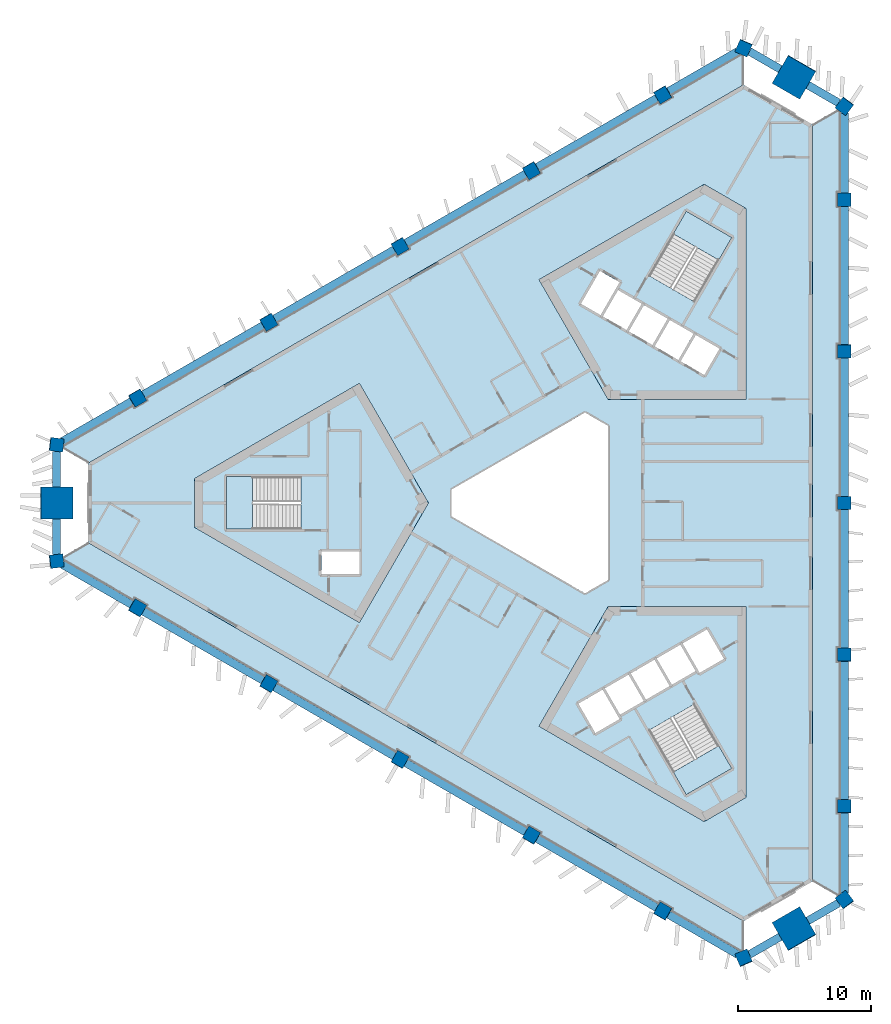
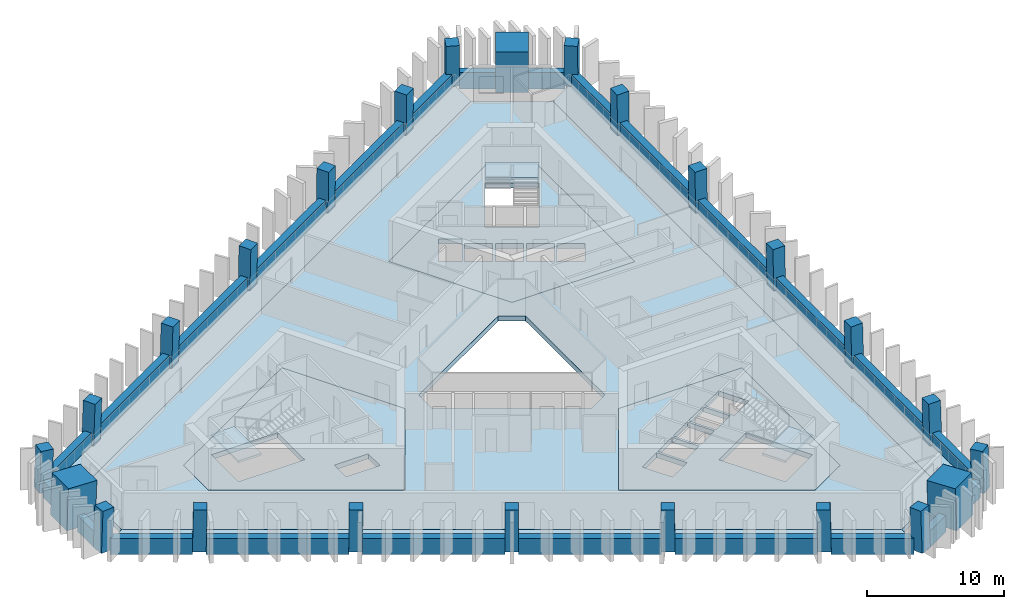
# One storey, part 1 of 10: 24 beams, 24 columns, 10 slabs, 3 elements without a shape of their own.
"""IFC4 building model written with IfcOpenShell, lengths in metres."""

from ifc_helpers import new_model, si_unit, direction, frame, origin, origin_2d, place, context, subcontext, project, spatial, polyline, rectangle, outline, extrude, material, layer, layer_set, material_profile, profile_set, type_object, element, aggregate, save


model = new_model("IFC4")

# Units and contexts
model_context = context("Model", 3, precision=1e-05, world=origin(), true_north=direction((0.0, 1.0)))
body_context = subcontext(model_context, "Body", "Model", "MODEL_VIEW")
ifc_project = project(units=[si_unit("LENGTHUNIT", "METRE"), si_unit("AREAUNIT", "SQUARE_METRE"), si_unit("VOLUMEUNIT", "CUBIC_METRE"), si_unit("PLANEANGLEUNIT", "RADIAN"), si_unit("MASSUNIT", "GRAM", prefix="KILO")], contexts=[model_context])

# Site, building, storey
site_placement = place(None, origin())
site = spatial("IfcSite", under=ifc_project, at=site_placement, CompositionType="ELEMENT")
building_placement = place(site_placement, origin())
building = spatial("IfcBuilding", under=site, at=building_placement, Name="Jabali Bay Hotel Tower and Convention Centre", CompositionType="ELEMENT")
storey_placement = place(building_placement, frame((0.0, 0.0, 117.89990234375)))
storey = spatial("IfcBuildingStorey", under=building, at=storey_placement, Name="L28", CompositionType="ELEMENT", Elevation=117.89990234375)

# Columns
ifc_material_1 = material(Name="Concrete C60", Category="concrete")
ifc_material_profile_1 = material_profile(ifc_material_1, rectangle(XDim=1.0, YDim=1.0, at=origin_2d()), Name="Frame column 1000")
ifc_profile_set_1 = profile_set([ifc_material_profile_1], Name="Concrete C60")
column_type_1 = type_object("IfcColumnType", Name="Frame column 1000", PredefinedType="COLUMN", material=ifc_profile_set_1)
column_1_placement = place(storey_placement, frame((83.6123046875, 110.693603515625, 0.0), z_axis=(-0.008375917711, -0.028095597993, 0.999570148302), x_axis=(0.86617295673, 0.49929055592, 0.021292012558)))
element("IfcColumn", 1, at=column_1_placement, inside=storey, type_object=column_type_1, Name="FC3 F1.1 L28", PredefinedType="COLUMN", context=body_context, shape_type="SweptSolid", body=[
    extrude(rectangle(XDim=1.0, YDim=1.0, at=origin_2d()), origin(), (0.0, 0.0, 1.0), 3.701904296875),
])
column_2_placement = place(storey_placement, frame((73.7373046875, 104.992431640625, 0.0), z_axis=(0.000857522362, -0.02282328747, 0.99973914708), x_axis=(0.866054303162, 0.499836110356, 0.010668025089)))
element("IfcColumn", 2, at=column_2_placement, inside=storey, type_object=column_type_1, Name="FC3 F1.2 L28", PredefinedType="COLUMN", context=body_context, shape_type="SweptSolid", body=[
    extrude(rectangle(XDim=1.0, YDim=1.0, at=origin_2d()), origin(), (0.0, 0.0, 1.0), 3.701171875),
])
column_3_placement = place(storey_placement, frame((63.8623046875, 99.291015625, 0.0), z_axis=(0.010092954999, -0.017481261926, 0.999796248113), x_axis=(-0.499897099477, 0.865849541015, 0.020185694417)))
element("IfcColumn", 3, at=column_3_placement, inside=storey, type_object=column_type_1, Name="FC3 F1.3 L28", PredefinedType="COLUMN", context=body_context, shape_type="SweptSolid", body=[
    extrude(rectangle(XDim=1.0, YDim=1.0, at=origin_2d()), origin(), (0.0, 0.0, 1.0), 3.700927734375),
])
column_4_placement = place(storey_placement, frame((53.9873046875, 93.58984375, 0.0), z_axis=(0.019327226818, -0.01220319782, 0.999738736004), x_axis=(-0.498096614993, 0.866885968369, 0.020210887592)))
element("IfcColumn", 4, at=column_4_placement, inside=storey, type_object=column_type_1, Name="FC3 F1.4 L28", PredefinedType="COLUMN", context=body_context, shape_type="SweptSolid", body=[
    extrude(rectangle(XDim=1.0, YDim=1.0, at=origin_2d()), origin(), (0.0, 0.0, 1.0), 3.701171875),
])
for number, where, z_axis, x_axis, name in (
    (5, (44.1123046875, 87.888427734375, 0.0), (0.028557232129, -0.006793059837, 0.999569076568), (-0.500405823841, 0.865555794054, 0.020178673034), "FC3 F1.5 L28"),
    (6, (44.1123046875, 72.111572265625, 0.0), (0.028557232129, 0.006793059837, 0.999569076568), (-0.865319880714, 0.500766434296, 0.021318591028), "FC3 F2.1 L28"),
):
    element("IfcColumn", number, at=place(storey_placement, frame(where, z_axis=z_axis, x_axis=x_axis)), inside=storey, type_object=column_type_1, Name=name, PredefinedType="COLUMN", context=body_context, shape_type="SweptSolid", body=[
        extrude(rectangle(XDim=1.0, YDim=1.0, at=origin_2d()), origin(), (0.0, 0.0, 1.0), 3.701904296875),
    ])
column_5_placement = place(storey_placement, frame((53.9873046875, 66.41015625, 0.0), z_axis=(0.019327226818, 0.01220319782, 0.999738736004), x_axis=(-0.866906119736, 0.49835710069, 0.010676130209)))
element("IfcColumn", 7, at=column_5_placement, inside=storey, type_object=column_type_1, Name="FC3 F2.2 L28", PredefinedType="COLUMN", context=body_context, shape_type="SweptSolid", body=[
    extrude(rectangle(XDim=1.0, YDim=1.0, at=origin_2d()), origin(), (0.0, 0.0, 1.0), 3.701171875),
])
column_6_placement = place(storey_placement, frame((63.8623046875, 60.708984375, 0.0), z_axis=(0.010092954999, 0.017481261926, 0.999796248113), x_axis=(-0.866025993948, 0.499998977805, 1.48321e-07)))
element("IfcColumn", 8, at=column_6_placement, inside=storey, type_object=column_type_1, Name="FC3 F2.3 L28", PredefinedType="COLUMN", context=body_context, shape_type="SweptSolid", body=[
    extrude(rectangle(XDim=1.0, YDim=1.0, at=origin_2d()), origin(), (0.0, 0.0, 1.0), 3.700927734375),
])
column_7_placement = place(storey_placement, frame((73.7373046875, 55.007568359375, 0.0), z_axis=(0.000857522362, 0.02282328747, 0.99973914708), x_axis=(-0.499949206051, -0.865819242298, 0.020194826967)))
element("IfcColumn", 9, at=column_7_placement, inside=storey, type_object=column_type_1, Name="FC3 F2.4 L28", PredefinedType="COLUMN", context=body_context, shape_type="SweptSolid", body=[
    extrude(rectangle(XDim=1.0, YDim=1.0, at=origin_2d()), origin(), (0.0, 0.0, 1.0), 3.701171875),
])
for number, where, z_axis, x_axis, name in (
    (10, (83.6123046875, 49.306396484375, 0.0), (-0.008375917711, 0.028095597993, 0.999570148302), (-0.499674146852, -0.865978970958, 0.020153630574), "FC3 F2.5 L28"),
    (11, (97.275390625, 57.19482421875, 0.0), (-0.020181329236, 0.021302514194, 0.999569365697), (0.000221961316, -0.999772863125, 0.021311332472), "FC3 F0.1 L28"),
):
    element("IfcColumn", number, at=place(storey_placement, frame(where, z_axis=z_axis, x_axis=x_axis)), inside=storey, type_object=column_type_1, Name=name, PredefinedType="COLUMN", context=body_context, shape_type="SweptSolid", body=[
        extrude(rectangle(XDim=1.0, YDim=1.0, at=origin_2d()), origin(), (0.0, 0.0, 1.0), 3.701904296875),
    ])
column_8_placement = place(storey_placement, frame((97.275390625, 68.597412109375, 0.0), z_axis=(-0.02018477153, 0.01062009221, 0.999739860484), x_axis=(0.00153278272, -0.999942078412, 0.010653187262)))
element("IfcColumn", 12, at=column_8_placement, inside=storey, type_object=column_type_1, Name="FC3 F0.2 L28", PredefinedType="COLUMN", context=body_context, shape_type="SweptSolid", body=[
    extrude(rectangle(XDim=1.0, YDim=1.0, at=origin_2d()), origin(), (0.0, 0.0, 1.0), 3.701171875),
])
column_9_placement = place(storey_placement, frame((97.275390625, 80.0, 0.0), z_axis=(-0.02018590991, 0.0, 0.999796243762), x_axis=(0.0, -1.0, 0.0)))
element("IfcColumn", 13, at=column_9_placement, inside=storey, type_object=column_type_1, Name="FC3 F0.3 L28", PredefinedType="COLUMN", context=body_context, shape_type="SweptSolid", body=[
    extrude(rectangle(XDim=1.0, YDim=1.0, at=origin_2d()), origin(), (0.0, 0.0, 1.0), 3.700927734375),
])
column_10_placement = place(storey_placement, frame((97.275390625, 91.402587890625, 0.0), z_axis=(-0.02018477153, -0.01062009221, 0.999739860484), x_axis=(0.999795091794, -0.001747416133, 0.020167324102)))
element("IfcColumn", 14, at=column_10_placement, inside=storey, type_object=column_type_1, Name="FC3 F0.4 L28", PredefinedType="COLUMN", context=body_context, shape_type="SweptSolid", body=[
    extrude(rectangle(XDim=1.0, YDim=1.0, at=origin_2d()), origin(), (0.0, 0.0, 1.0), 3.701171875),
])
column_11_placement = place(storey_placement, frame((97.275390625, 102.80517578125, 0.0), z_axis=(-0.020181329236, -0.021302514194, 0.999569365697), x_axis=(0.999796311597, -0.000651956749, 0.020172016978)))
element("IfcColumn", 15, at=column_11_placement, inside=storey, type_object=column_type_1, Name="FC3 F0.5 L28", PredefinedType="COLUMN", context=body_context, shape_type="SweptSolid", body=[
    extrude(rectangle(XDim=1.0, YDim=1.0, at=origin_2d()), origin(), (0.0, 0.0, 1.0), 3.701904296875),
])
for number, where, z_axis, x_axis, name in (
    (16, (97.275390625, 50.166259765625, 0.0), (-0.020177412175, 0.029013272408, 0.999375355941), (-0.801392442737, -0.598137734418, 0.001184647378), "FC3 V0 L28"),
    (17, (97.275390625, 109.833740234375, 0.0), (-0.020177412175, -0.029013272408, 0.999375355941), (0.597798481733, 0.80086795459, 0.035319888851), "FC3 V1 L28"),
    (18, (89.698974609375, 114.2080078125, 0.0), (-0.01503415113, -0.031980540781, 0.999375414602), (0.918734353732, -0.394874389446, 0.001184834638), "FC3 V2 L28"),
    (19, (38.025634765625, 84.374267578125, 0.0), (0.035211566633, -0.002967266851, 0.999375475436), (-0.992471932159, 0.117269806024, 0.035316518411), "FC3 V3 L28"),
    (20, (38.025634765625, 75.625732421875, 0.0), (0.035211566633, 0.002967266851, 0.999375475436), (-0.117301361684, 0.993095658999, 0.001184324524), "FC3 V4 L28"),
    (21, (89.698974609375, 45.7919921875, 0.0), (-0.01503415113, 0.031980540781, 0.999375414602), (0.394589865015, -0.918178338653, 0.035318222715), "FC3 V5 L28"),
):
    element("IfcColumn", number, at=place(storey_placement, frame(where, z_axis=z_axis, x_axis=x_axis)), inside=storey, type_object=column_type_1, Name=name, PredefinedType="COLUMN", context=body_context, shape_type="SweptSolid", body=[
        extrude(rectangle(XDim=1.0, YDim=1.0, at=origin_2d()), origin(), (0.0, 0.0, 1.0), 3.702392578125),
    ])
ifc_material_2 = material(Name="Concrete C70", Category="concrete")
ifc_material_profile_2 = material_profile(ifc_material_2, rectangle(XDim=2.39990234375, YDim=2.39990234375, at=origin_2d()), Name="Mega column 2400")
ifc_profile_set_2 = profile_set([ifc_material_profile_2], Name="Concrete C70")
column_type_2 = type_object("IfcColumnType", Name="Mega column 2400", PredefinedType="COLUMN", material=ifc_profile_set_2)
for number, where, z_axis, x_axis, name in (
    (22, (93.4873046875, 112.020751953125, 0.0), (-0.017605877014, -0.030464101799, 0.99938079409), (0.865816229231, -0.500362126065, 3.71534e-07), "MC3 M1 L28"),
    (23, (38.025634765625, 80.0, 0.0), (0.035211721647, 0.0, 0.999379875052), (0.0, 1.0, 0.0), "MC3 M0 L28"),
    (24, (93.4873046875, 47.979248046875, 0.0), (-0.017605877014, 0.030464101799, 0.99938079409), (0.500055612053, -0.865278195987, 0.035185627802), "MC3 M2 L28"),
):
    element("IfcColumn", number, at=place(storey_placement, frame(where, z_axis=z_axis, x_axis=x_axis)), inside=storey, type_object=column_type_2, Name=name, PredefinedType="COLUMN", context=body_context, shape_type="SweptSolid", body=[
        extrude(rectangle(XDim=2.39990234375, YDim=2.39990234375, at=origin_2d()), origin(), (0.0, 0.0, 1.0), 3.702392578125),
    ])

# Beams
ifc_material_profile_3 = material_profile(ifc_material_1, rectangle(XDim=0.60009765625, YDim=1.449951171875, at=origin_2d()), Name="Spandrel 600x1450")
ifc_profile_set_3 = profile_set([ifc_material_profile_3], Name="Concrete C60")
beam_type = type_object("IfcBeamType", Name="Spandrel 600x1450", PredefinedType="SPANDREL", material=ifc_profile_set_3)
beam_1_placement = place(storey_placement, frame((92.44140625, 112.609375, 0.375), z_axis=(-0.866042617247, 0.499970184224, 0.0), x_axis=(-0.499970184224, -0.866042617247, 0.0)))
element("IfcBeam", 25, at=beam_1_placement, inside=storey, type_object=beam_type, Name="Spandrel M1-V2 L28", PredefinedType="SPANDREL", context=body_context, shape_type="SweptSolid", body=[
    extrude(rectangle(XDim=0.60009765625, YDim=1.449951171875, at=origin_2d()), origin(), (0.0, 0.0, 1.0), 2.673095703125),
])
beam_2_placement = place(storey_placement, frame((89.26025390625, 113.94580078125, 0.375), z_axis=(-0.866030397928, -0.499991349791, 0.0), x_axis=(0.499991349791, -0.866030397928, 0.0)))
element("IfcBeam", 26, at=beam_2_placement, inside=storey, type_object=beam_type, Name="Spandrel V2-F1.1 L28", PredefinedType="SPANDREL", context=body_context, shape_type="SweptSolid", body=[
    extrude(rectangle(XDim=0.60009765625, YDim=1.449951171875, at=origin_2d()), origin(), (0.0, 0.0, 1.0), 6.025390625),
])
beam_3_placement = place(storey_placement, frame((83.176025390625, 110.43310546875, 0.375), z_axis=(-0.866026847719, -0.499997499024, 0.0), x_axis=(0.499997499024, -0.866026847719, 0.0)))
element("IfcBeam", 27, at=beam_3_placement, inside=storey, type_object=beam_type, Name="Spandrel F1.1-F1.2 L28", PredefinedType="SPANDREL", context=body_context, shape_type="SweptSolid", body=[
    extrude(rectangle(XDim=0.60009765625, YDim=1.449951171875, at=origin_2d()), origin(), (0.0, 0.0, 1.0), 10.3984375),
])
beam_4_placement = place(storey_placement, frame((73.3046875, 104.73388671875, 0.375), z_axis=(-0.866022550941, -0.500004941237, 0.0), x_axis=(0.500004941237, -0.866022550941, 0.0)))
element("IfcBeam", 28, at=beam_4_placement, inside=storey, type_object=beam_type, Name="Spandrel F1.2-F1.3 L28", PredefinedType="SPANDREL", context=body_context, shape_type="SweptSolid", body=[
    extrude(rectangle(XDim=0.60009765625, YDim=1.449951171875, at=origin_2d()), origin(), (0.0, 0.0, 1.0), 10.39892578125),
])
beam_5_placement = place(storey_placement, frame((63.43310546875, 99.034423828125, 0.375), z_axis=(-0.866032717098, -0.499987332755, 0.0), x_axis=(0.499987332755, -0.866032717098, 0.0)))
element("IfcBeam", 29, at=beam_5_placement, inside=storey, type_object=beam_type, Name="Spandrel F1.3-F1.4 L28", PredefinedType="SPANDREL", context=body_context, shape_type="SweptSolid", body=[
    extrude(rectangle(XDim=0.60009765625, YDim=1.449951171875, at=origin_2d()), origin(), (0.0, 0.0, 1.0), 10.398681640625),
])
beam_6_placement = place(storey_placement, frame((53.5615234375, 93.335205078125, 0.375), z_axis=(-0.866026847719, -0.499997499024, 0.0), x_axis=(0.499997499024, -0.866026847719, 0.0)))
element("IfcBeam", 30, at=beam_6_placement, inside=storey, type_object=beam_type, Name="Spandrel F1.4-F1.5 L28", PredefinedType="SPANDREL", context=body_context, shape_type="SweptSolid", body=[
    extrude(rectangle(XDim=0.60009765625, YDim=1.449951171875, at=origin_2d()), origin(), (0.0, 0.0, 1.0), 10.3984375),
])
beam_7_placement = place(storey_placement, frame((43.690185546875, 87.635986328125, 0.375), z_axis=(-0.866012853171, -0.500021737671, 0.0), x_axis=(0.500021737671, -0.866012853171, 0.0)))
element("IfcBeam", 31, at=beam_7_placement, inside=storey, type_object=beam_type, Name="Spandrel F1.5-V3 L28", PredefinedType="SPANDREL", context=body_context, shape_type="SweptSolid", body=[
    extrude(rectangle(XDim=0.60009765625, YDim=1.449951171875, at=origin_2d()), origin(), (0.0, 0.0, 1.0), 6.025634765625),
])
for number, where, z_axis, x_axis, name in (
    (32, (38.038818359375, 83.873046875, 0.375), (0.0, -1.0, 0.0), (1.0, 0.0, 0.0), "Spandrel V3-M0 L28"),
    (33, (38.038818359375, 78.800048828125, 0.375), (0.0, -1.0, 0.0), (1.0, 0.0, 0.0), "Spandrel M0-V4 L28"),
):
    element("IfcBeam", number, at=place(storey_placement, frame(where, z_axis=z_axis, x_axis=x_axis)), inside=storey, type_object=beam_type, Name=name, PredefinedType="SPANDREL", context=body_context, shape_type="SweptSolid", body=[
        extrude(rectangle(XDim=0.60009765625, YDim=1.449951171875, at=origin_2d()), origin(), (0.0, 0.0, 1.0), 2.673095703125),
    ])
beam_8_placement = place(storey_placement, frame((38.471923828125, 75.376953125, 0.375), z_axis=(0.866012853171, -0.500021737671, 0.0), x_axis=(0.500021737671, 0.866012853171, 0.0)))
element("IfcBeam", 34, at=beam_8_placement, inside=storey, type_object=beam_type, Name="Spandrel V4-F2.1 L28", PredefinedType="SPANDREL", context=body_context, shape_type="SweptSolid", body=[
    extrude(rectangle(XDim=0.60009765625, YDim=1.449951171875, at=origin_2d()), origin(), (0.0, 0.0, 1.0), 6.025634765625),
])
beam_9_placement = place(storey_placement, frame((44.55615234375, 71.864013671875, 0.375), z_axis=(0.866026847719, -0.499997499024, 0.0), x_axis=(0.499997499024, 0.866026847719, 0.0)))
element("IfcBeam", 35, at=beam_9_placement, inside=storey, type_object=beam_type, Name="Spandrel F2.1-F2.2 L28", PredefinedType="SPANDREL", context=body_context, shape_type="SweptSolid", body=[
    extrude(rectangle(XDim=0.60009765625, YDim=1.449951171875, at=origin_2d()), origin(), (0.0, 0.0, 1.0), 10.3984375),
])
beam_10_placement = place(storey_placement, frame((54.427490234375, 66.164794921875, 0.375), z_axis=(0.866032717098, -0.499987332755, 0.0), x_axis=(0.499987332755, 0.866032717098, 0.0)))
element("IfcBeam", 36, at=beam_10_placement, inside=storey, type_object=beam_type, Name="Spandrel F2.2-F2.3 L28", PredefinedType="SPANDREL", context=body_context, shape_type="SweptSolid", body=[
    extrude(rectangle(XDim=0.60009765625, YDim=1.449951171875, at=origin_2d()), origin(), (0.0, 0.0, 1.0), 10.398681640625),
])
beam_11_placement = place(storey_placement, frame((64.299072265625, 60.465576171875, 0.375), z_axis=(0.866022550941, -0.500004941237, 0.0), x_axis=(0.500004941237, 0.866022550941, 0.0)))
element("IfcBeam", 37, at=beam_11_placement, inside=storey, type_object=beam_type, Name="Spandrel F2.3-F2.4 L28", PredefinedType="SPANDREL", context=body_context, shape_type="SweptSolid", body=[
    extrude(rectangle(XDim=0.60009765625, YDim=1.449951171875, at=origin_2d()), origin(), (0.0, 0.0, 1.0), 10.39892578125),
])
beam_12_placement = place(storey_placement, frame((74.170654296875, 54.76611328125, 0.375), z_axis=(0.866026847719, -0.499997499024, 0.0), x_axis=(0.499997499024, 0.866026847719, 0.0)))
element("IfcBeam", 38, at=beam_12_placement, inside=storey, type_object=beam_type, Name="Spandrel F2.4-F2.5 L28", PredefinedType="SPANDREL", context=body_context, shape_type="SweptSolid", body=[
    extrude(rectangle(XDim=0.60009765625, YDim=1.449951171875, at=origin_2d()), origin(), (0.0, 0.0, 1.0), 10.3984375),
])
beam_13_placement = place(storey_placement, frame((84.0419921875, 49.06689453125, 0.375), z_axis=(0.866030397928, -0.499991349791, 0.0), x_axis=(0.499991349791, 0.866030397928, 0.0)))
element("IfcBeam", 39, at=beam_13_placement, inside=storey, type_object=beam_type, Name="Spandrel F2.5-V5 L28", PredefinedType="SPANDREL", context=body_context, shape_type="SweptSolid", body=[
    extrude(rectangle(XDim=0.60009765625, YDim=1.449951171875, at=origin_2d()), origin(), (0.0, 0.0, 1.0), 6.025390625),
])
for number, where, z_axis, x_axis, name in (
    (40, (90.12646484375, 46.05419921875, 0.375), (0.866042617247, 0.499970184224, 0.0), (-0.499970184224, 0.866042617247, 0.0), "Spandrel V5-M2 L28"),
    (41, (94.519775390625, 48.590576171875, 0.375), (0.866003068511, 0.500038683832, 0.0), (-0.500038683832, 0.866003068511, 0.0), "Spandrel M2-V0 L28"),
):
    element("IfcBeam", number, at=place(storey_placement, frame(where, z_axis=z_axis, x_axis=x_axis)), inside=storey, type_object=beam_type, Name=name, PredefinedType="SPANDREL", context=body_context, shape_type="SweptSolid", body=[
        extrude(rectangle(XDim=0.60009765625, YDim=1.449951171875, at=origin_2d()), origin(), (0.0, 0.0, 1.0), 2.673095703125),
    ])
beam_14_placement = place(storey_placement, frame((97.267822265625, 50.67724609375, 0.375), z_axis=(0.0, 1.0, 0.0), x_axis=(-1.0, 0.0, 0.0)))
element("IfcBeam", 42, at=beam_14_placement, inside=storey, type_object=beam_type, Name="Spandrel V0-F0.1 L28", PredefinedType="SPANDREL", context=body_context, shape_type="SweptSolid", body=[
    extrude(rectangle(XDim=0.60009765625, YDim=1.449951171875, at=origin_2d()), origin(), (0.0, 0.0, 1.0), 6.025390625),
])
for number, where, z_axis, x_axis, name in (
    (43, (97.267822265625, 57.70263671875, 0.375), (0.0, 1.0, 0.0), (-1.0, 0.0, 0.0), "Spandrel F0.1-F0.2 L28"),
    (44, (97.267822265625, 69.101318359375, 0.375), (0.0, 1.0, 0.0), (-1.0, 0.0, 0.0), "Spandrel F0.2-F0.3 L28"),
    (45, (97.267822265625, 80.5, 0.375), (0.0, 1.0, 0.0), (-1.0, 0.0, 0.0), "Spandrel F0.3-F0.4 L28"),
    (46, (97.267822265625, 91.898681640625, 0.375), (0.0, 1.0, 0.0), (-1.0, 0.0, 0.0), "Spandrel F0.4-F0.5 L28"),
):
    element("IfcBeam", number, at=place(storey_placement, frame(where, z_axis=z_axis, x_axis=x_axis)), inside=storey, type_object=beam_type, Name=name, PredefinedType="SPANDREL", context=body_context, shape_type="SweptSolid", body=[
        extrude(rectangle(XDim=0.60009765625, YDim=1.449951171875, at=origin_2d()), origin(), (0.0, 0.0, 1.0), 10.398681640625),
    ])
beam_15_placement = place(storey_placement, frame((97.267822265625, 103.29736328125, 0.375), z_axis=(0.0, 1.0, 0.0), x_axis=(-1.0, 0.0, 0.0)))
element("IfcBeam", 47, at=beam_15_placement, inside=storey, type_object=beam_type, Name="Spandrel F0.5-V1 L28", PredefinedType="SPANDREL", context=body_context, shape_type="SweptSolid", body=[
    extrude(rectangle(XDim=0.60009765625, YDim=1.449951171875, at=origin_2d()), origin(), (0.0, 0.0, 1.0), 6.025390625),
])
beam_16_placement = place(storey_placement, frame((96.834716796875, 110.07275390625, 0.375), z_axis=(-0.866003068511, 0.500038683832, 0.0), x_axis=(-0.500038683832, -0.866003068511, 0.0)))
element("IfcBeam", 48, at=beam_16_placement, inside=storey, type_object=beam_type, Name="Spandrel V1-M1 L28", PredefinedType="SPANDREL", context=body_context, shape_type="SweptSolid", body=[
    extrude(rectangle(XDim=0.60009765625, YDim=1.449951171875, at=origin_2d()), origin(), (0.0, 0.0, 1.0), 2.673095703125),
])

# Slabs
ifc_material_3 = material(Name="Concrete C40", Category="concrete")
ifc_layer_1 = layer(ifc_material_3, 0.449951171875)
ifc_layer_set_1 = layer_set([ifc_layer_1], Name="Concrete C40")
slab_type_1 = type_object("IfcSlabType", Name="Core floor slab 450", PredefinedType="FLOOR", material=ifc_layer_set_1)
slab_1_placement = place(storey_placement, frame((0.0, 0.0, -0.449951171875)))
element("IfcSlab", 49, at=slab_1_placement, inside=storey, type_object=slab_type_1, Name="Core floor slab 1 L28", PredefinedType="FLOOR", context=body_context, shape_type="SweptSolid", body=[
    extrude(outline(polyline([(66.0, 80.0), (60.81005859375, 88.9892578125), (48.39697265625, 81.82275390625), (48.39697265625, 78.17724609375), (60.81005859375, 71.0107421875), (66.0, 80.0)]), holes=[polyline([(60.800048828125, 76.35009765625), (57.949951171875, 76.35009765625), (57.949951171875, 74.64990234375), (60.800048828125, 74.64990234375), (60.800048828125, 76.35009765625)]), polyline([(50.820068359375, 81.97509765625), (50.820068359375, 78.02490234375), (56.409912109375, 78.02490234375), (56.409912109375, 81.97509765625), (50.820068359375, 81.97509765625)])]), origin(), (0.0, 0.0, 1.0), 0.449951171875),
])
slab_2_placement = place(storey_placement, frame((0.0, 0.0, -0.449951171875)))
element("IfcSlab", 50, at=slab_2_placement, inside=storey, type_object=slab_type_1, Name="Core floor slab 2 L28", PredefinedType="FLOOR", context=body_context, shape_type="SweptSolid", body=[
    extrude(outline(polyline([(79.5, 87.794189453125), (89.8798828125, 87.794189453125), (89.8798828125, 102.127685546875), (86.72314453125, 103.9501953125), (74.31005859375, 96.78369140625), (79.5, 87.794189453125)]), holes=[polyline([(84.957763671875, 90.6474609375), (86.733154296875, 89.62255859375), (87.873291015625, 91.59716796875), (86.097900390625, 92.6220703125), (84.957763671875, 90.6474609375)]), polyline([(84.1494140625, 93.7470703125), (83.00927734375, 91.7724609375), (84.78466796875, 90.74755859375), (85.924560546875, 92.72216796875), (84.1494140625, 93.7470703125)]), polyline([(82.20068359375, 94.8720703125), (81.060791015625, 92.8974609375), (82.836181640625, 91.87255859375), (83.97607421875, 93.84716796875), (82.20068359375, 94.8720703125)]), polyline([(79.1123046875, 94.0224609375), (80.887451171875, 92.99755859375), (82.027587890625, 94.97216796875), (80.252197265625, 95.9970703125), (79.1123046875, 94.0224609375)]), polyline([(78.891845703125, 97.440673828125), (77.466796875, 94.97265625), (78.93896484375, 94.12255859375), (80.364013671875, 96.5908203125), (78.891845703125, 97.440673828125)]), polyline([(82.584716796875, 97.0869140625), (86.00537109375, 95.11181640625), (88.80029296875, 99.952880859375), (85.379638671875, 101.927978515625), (82.584716796875, 97.0869140625)])]), origin(), (0.0, 0.0, 1.0), 0.449951171875),
])
slab_3_placement = place(storey_placement, frame((0.0, 0.0, -0.449951171875)))
element("IfcSlab", 51, at=slab_3_placement, inside=storey, type_object=slab_type_1, Name="Core floor slab 3 L28", PredefinedType="FLOOR", context=body_context, shape_type="SweptSolid", body=[
    extrude(outline(polyline([(79.5, 72.205810546875), (74.31005859375, 63.21630859375), (86.72314453125, 56.0498046875), (89.8798828125, 57.872314453125), (89.8798828125, 72.205810546875), (79.5, 72.205810546875)]), holes=[polyline([(82.584716796875, 62.9130859375), (85.379638671875, 58.072021484375), (88.80029296875, 60.047119140625), (86.00537109375, 64.88818359375), (82.584716796875, 62.9130859375)]), polyline([(80.365478515625, 63.756591796875), (79.090576171875, 65.96484375), (77.27197265625, 64.9150390625), (78.546875, 62.70654296875), (80.365478515625, 63.756591796875)]), polyline([(82.17919921875, 65.115478515625), (81.0390625, 67.08984375), (79.263671875, 66.06494140625), (80.40380859375, 64.09033203125), (82.17919921875, 65.115478515625)]), polyline([(82.98779296875, 68.21484375), (81.21240234375, 67.18994140625), (82.352294921875, 65.21533203125), (84.127685546875, 66.240478515625), (82.98779296875, 68.21484375)]), polyline([(86.076171875, 67.365478515625), (84.936279296875, 69.33984375), (83.160888671875, 68.31494140625), (84.30078125, 66.34033203125), (86.076171875, 67.365478515625)]), polyline([(88.203125, 68.281494140625), (86.927978515625, 70.489990234375), (85.109375, 69.43994140625), (86.384521484375, 67.231689453125), (88.203125, 68.281494140625)])]), origin(), (0.0, 0.0, 1.0), 0.449951171875),
])
ifc_layer_2 = layer(ifc_material_3, 0.199951171875)
ifc_layer_set_2 = layer_set([ifc_layer_2], Name="Concrete C40")
slab_type_2 = type_object("IfcSlabType", Name="Loggia slab 200", PredefinedType="FLOOR", material=ifc_layer_set_2)
slab_4_placement = place(storey_placement, frame((0.0, 0.0, -0.199951171875)))
element("IfcSlab", 52, at=slab_4_placement, inside=storey, type_object=slab_type_2, Name="Loggia slab east face L28", PredefinedType="FLOOR", context=body_context, shape_type="SweptSolid", body=[
    extrude(outline(polyline([(94.87548828125, 108.447998046875), (96.80419921875, 109.5615234375), (96.975341796875, 109.43359375), (96.975341796875, 103.30517578125), (96.775390625, 103.30517578125), (96.775390625, 102.30517578125), (96.975341796875, 102.30517578125), (96.975341796875, 91.902587890625), (96.775390625, 91.902587890625), (96.775390625, 90.902587890625), (96.975341796875, 90.902587890625), (96.975341796875, 80.5), (96.775390625, 80.5), (96.775390625, 79.5), (96.975341796875, 79.5), (96.975341796875, 69.097412109375), (96.775390625, 69.097412109375), (96.775390625, 68.097412109375), (96.975341796875, 68.097412109375), (96.975341796875, 57.69482421875), (96.775390625, 57.69482421875), (96.775390625, 56.69482421875), (96.975341796875, 56.69482421875), (96.975341796875, 50.56640625), (96.80419921875, 50.4384765625), (94.87548828125, 51.552001953125), (94.87548828125, 108.447998046875)])), origin(), (0.0, 0.0, 1.0), 0.199951171875),
])
slab_5_placement = place(storey_placement, frame((0.0, 0.0, -0.199951171875)))
element("IfcSlab", 53, at=slab_5_placement, inside=storey, type_object=slab_type_2, Name="Loggia slab north-west face L28", PredefinedType="FLOOR", context=body_context, shape_type="SweptSolid", body=[
    extrude(outline(polyline([(40.425537109375, 82.988525390625), (38.496826171875, 84.10205078125), (38.52197265625, 84.314453125), (43.829345703125, 87.378662109375), (43.929443359375, 87.205322265625), (44.79541015625, 87.705322265625), (44.6953125, 87.878662109375), (53.704345703125, 93.079833984375), (53.804443359375, 92.90673828125), (54.67041015625, 93.40673828125), (54.5703125, 93.579833984375), (63.579345703125, 98.78125), (63.67919921875, 98.608154296875), (64.54541015625, 99.108154296875), (64.4453125, 99.28125), (73.454345703125, 104.482666015625), (73.55419921875, 104.309326171875), (74.420166015625, 104.809326171875), (74.3203125, 104.982666015625), (83.329345703125, 110.183837890625), (83.42919921875, 110.0107421875), (84.295166015625, 110.5107421875), (84.1953125, 110.683837890625), (89.502685546875, 113.748046875), (89.698974609375, 113.66357421875), (89.698974609375, 111.4365234375), (40.425537109375, 82.988525390625)])), origin(), (0.0, 0.0, 1.0), 0.199951171875),
])
slab_6_placement = place(storey_placement, frame((0.0, 0.0, -0.199951171875)))
element("IfcSlab", 54, at=slab_6_placement, inside=storey, type_object=slab_type_2, Name="Loggia slab south-west face L28", PredefinedType="FLOOR", context=body_context, shape_type="SweptSolid", body=[
    extrude(outline(polyline([(89.698974609375, 48.5634765625), (89.698974609375, 46.33642578125), (89.502685546875, 46.251953125), (84.1953125, 49.316162109375), (84.295166015625, 49.4892578125), (83.42919921875, 49.9892578125), (83.329345703125, 49.816162109375), (74.3203125, 55.017333984375), (74.420166015625, 55.190673828125), (73.55419921875, 55.690673828125), (73.454345703125, 55.517333984375), (64.4453125, 60.71875), (64.54541015625, 60.891845703125), (63.67919921875, 61.391845703125), (63.579345703125, 61.21875), (54.5703125, 66.420166015625), (54.67041015625, 66.59326171875), (53.804443359375, 67.09326171875), (53.704345703125, 66.920166015625), (44.6953125, 72.121337890625), (44.79541015625, 72.294677734375), (43.929443359375, 72.794677734375), (43.829345703125, 72.621337890625), (38.52197265625, 75.685546875), (38.496826171875, 75.89794921875), (40.425537109375, 77.011474609375), (89.698974609375, 48.5634765625)])), origin(), (0.0, 0.0, 1.0), 0.199951171875),
])
ifc_layer_3 = layer(ifc_material_3, 0.449951171875)
ifc_layer_set_3 = layer_set([ifc_layer_3], Name="Concrete C40")
slab_type_3 = type_object("IfcSlabType", Name="Post-tensioned flat slab 450", PredefinedType="FLOOR", material=ifc_layer_set_3)
slab_7_placement = place(storey_placement, frame((0.0, 0.0, -0.449951171875)))
element("IfcSlab", 55, at=slab_7_placement, inside=storey, type_object=slab_type_3, Name="Floor slab L28", PredefinedType="FLOOR", context=body_context, shape_type="SweptSolid", body=[
    extrude(outline(polyline([(89.698974609375, 111.4365234375), (94.87548828125, 108.447998046875), (94.87548828125, 51.552001953125), (89.698974609375, 48.5634765625), (40.425537109375, 77.011474609375), (40.425537109375, 82.988525390625), (89.698974609375, 111.4365234375)]), holes=[polyline([(67.73193359375, 79.0), (77.76806640625, 73.205810546875), (79.5, 74.205810546875), (79.5, 85.794189453125), (77.76806640625, 86.794189453125), (67.73193359375, 81.0), (67.73193359375, 79.0)]), polyline([(48.39697265625, 78.17724609375), (60.81005859375, 71.0107421875), (66.0, 80.0), (60.81005859375, 88.9892578125), (48.39697265625, 81.82275390625), (48.39697265625, 78.17724609375)]), polyline([(89.8798828125, 102.127685546875), (86.72314453125, 103.9501953125), (74.31005859375, 96.78369140625), (79.5, 87.794189453125), (89.8798828125, 87.794189453125), (89.8798828125, 102.127685546875)]), polyline([(74.31005859375, 63.21630859375), (86.72314453125, 56.0498046875), (89.8798828125, 57.872314453125), (89.8798828125, 72.205810546875), (79.5, 72.205810546875), (74.31005859375, 63.21630859375)])]), origin(), (0.0, 0.0, 1.0), 0.449951171875),
])

# Stair, slab
stair_type = type_object("IfcStairType", Name="Exit stair 1900", PredefinedType="HALF_TURN_STAIR", material=ifc_material_3)
stair_1_placement = place(storey_placement, origin())
stair_1 = element("IfcStair", 56, at=stair_1_placement, inside=storey, type_object=stair_type, Name="L28 Exit Stair 1", PredefinedType="HALF_TURN_STAIR")
ifc_layer_4 = layer(ifc_material_3, 0.199951171875)
ifc_layer_set_4 = layer_set([ifc_layer_4], Name="Concrete C40")
slab_type_4 = type_object("IfcSlabType", Name="Stair landing 200", PredefinedType="LANDING", material=ifc_layer_set_4)
slab_8_placement = place(storey_placement, frame((0.0, 0.0, 1.650146484375)))
slab_8 = element("IfcSlab", 57, at=slab_8_placement, type_object=slab_type_4, Name="ST1 landing 1", PredefinedType="LANDING", context=body_context, shape_type="SweptSolid", body=[
    extrude(outline(polyline([(52.782958984375, 81.97509765625), (50.820068359375, 81.97509765625), (50.820068359375, 78.02490234375), (52.782958984375, 78.02490234375), (52.782958984375, 81.97509765625)])), origin(), (0.0, 0.0, 1.0), 0.199951171875),
])
aggregate(stair_1, [slab_8])

stair_2_placement = place(storey_placement, origin())
stair_2 = element("IfcStair", 58, at=stair_2_placement, inside=storey, type_object=stair_type, Name="L28 Exit Stair 2", PredefinedType="HALF_TURN_STAIR")
slab_9_placement = place(storey_placement, frame((0.0, 0.0, 1.650146484375)))
slab_9 = element("IfcSlab", 59, at=slab_9_placement, type_object=slab_type_4, Name="ST2 landing 1", PredefinedType="LANDING", context=body_context, shape_type="SweptSolid", body=[
    extrude(outline(polyline([(87.81884765625, 98.2529296875), (88.80029296875, 99.952880859375), (85.379638671875, 101.927978515625), (84.398193359375, 100.22802734375), (87.81884765625, 98.2529296875)])), origin(), (0.0, 0.0, 1.0), 0.199951171875),
])
aggregate(stair_2, [slab_9])

stair_3_placement = place(storey_placement, origin())
stair_3 = element("IfcStair", 60, at=stair_3_placement, inside=storey, type_object=stair_type, Name="L28 Exit Stair 3", PredefinedType="HALF_TURN_STAIR")
slab_10_placement = place(storey_placement, frame((0.0, 0.0, 1.650146484375)))
slab_10 = element("IfcSlab", 61, at=slab_10_placement, type_object=slab_type_4, Name="ST3 landing 1", PredefinedType="LANDING", context=body_context, shape_type="SweptSolid", body=[
    extrude(outline(polyline([(84.398193359375, 59.77197265625), (85.379638671875, 58.072021484375), (88.80029296875, 60.047119140625), (87.81884765625, 61.7470703125), (84.398193359375, 59.77197265625)])), origin(), (0.0, 0.0, 1.0), 0.199951171875),
])
aggregate(stair_3, [slab_10])

save(model, "model.ifc")
